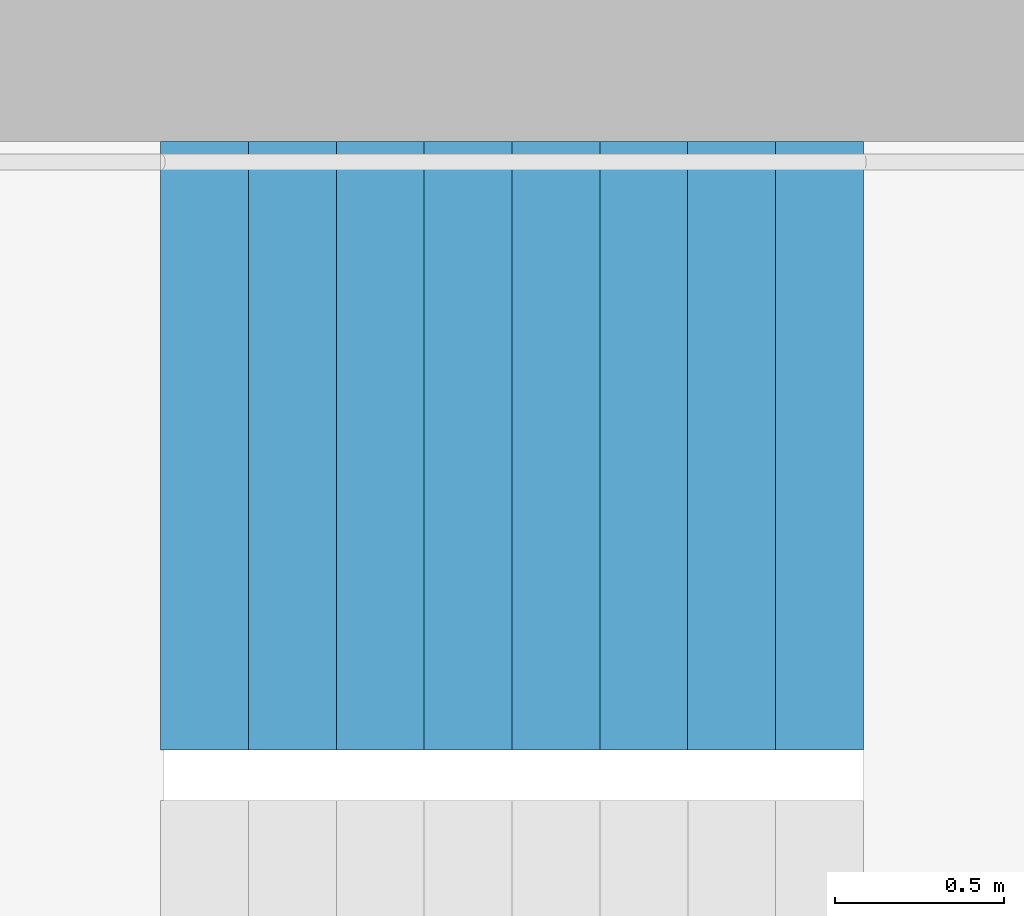
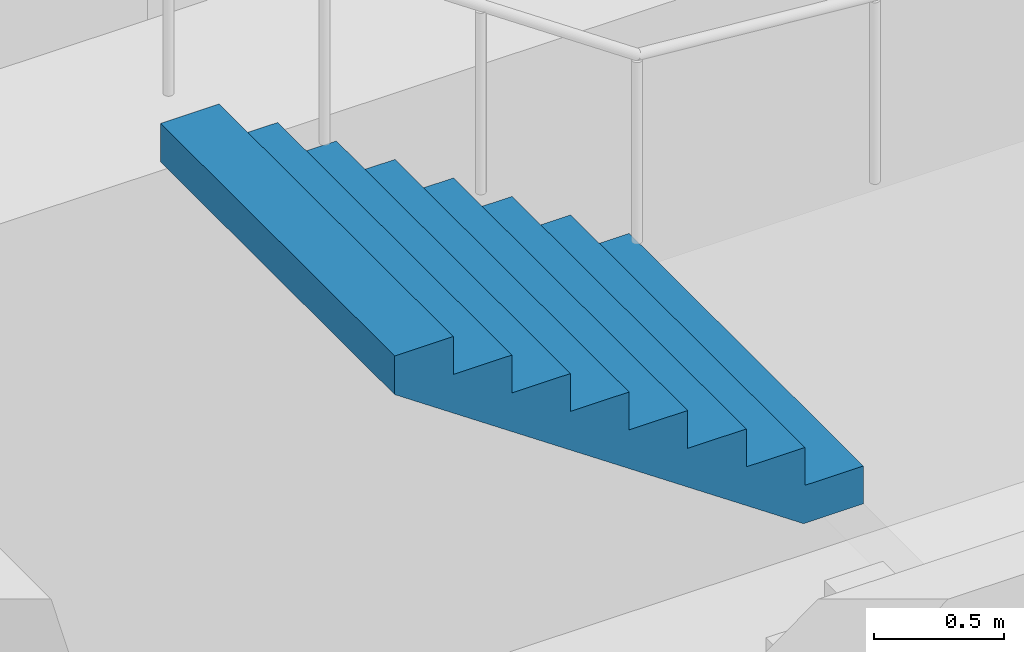
# One storey, part 24 of 29: 1 stair flight, 1 element without a shape of its own.
"""IFC4 building model written with IfcOpenShell, lengths in metres."""

from ifc_helpers import new_model, si_unit, direction, frame, origin, place, context, subcontext, project, spatial, triangles, material, type_object, element, aggregate, save


model = new_model("IFC4")

# Units and contexts
model_context = context("Model", 3, precision=1e-05, world=origin(), true_north=direction((0.0, 1.0)))
body_context = subcontext(model_context, "Body", "Model", "MODEL_VIEW")
ifc_project = project(units=[si_unit("LENGTHUNIT", "METRE"), si_unit("AREAUNIT", "SQUARE_METRE"), si_unit("VOLUMEUNIT", "CUBIC_METRE"), si_unit("PLANEANGLEUNIT", "RADIAN"), si_unit("MASSUNIT", "GRAM", prefix="KILO")], contexts=[model_context])

# Site, building, storey
site_placement = place(None, origin())
site = spatial("IfcSite", under=ifc_project, at=site_placement, CompositionType="ELEMENT")
building_placement = place(site_placement, origin())
building = spatial("IfcBuilding", under=site, at=building_placement, Name="Hakoniwa Tower and Hamabe Station Hall", CompositionType="ELEMENT")
storey_placement = place(building_placement, frame((0.0, 0.0, 110.60009765625)))
storey = spatial("IfcBuildingStorey", under=building, at=storey_placement, Name="L31", CompositionType="ELEMENT", Elevation=110.60009765625)

# Stair, stair flight
ifc_material_1 = material(Name="Concrete C40", Category="concrete")
stair_type = type_object("IfcStairType", Name="ESCAPE STAIR 1800", PredefinedType="HALF_TURN_STAIR", material=ifc_material_1)
stair_placement = place(storey_placement, origin())
stair = element("IfcStair", 1, at=stair_placement, inside=storey, type_object=stair_type, Name="Escape stair ST-1 L31", PredefinedType="HALF_TURN_STAIR")
ifc_material_2 = material(Name="Concrete C40", Category="concrete")
stair_flight_type = type_object("IfcStairFlightType", Name="STAIR FLIGHT 1800", PredefinedType="STRAIGHT", material=ifc_material_2)
stair_flight_placement = place(storey_placement, frame((-22.320068359375, 6.60009765625, 1.599853515625), z_axis=(0.0, 0.0, 1.0), x_axis=(-1.0, 0.0, 0.0)))
stair_flight = element("IfcStairFlight", 2, at=stair_flight_placement, type_object=stair_flight_type, Name="ST-1 flight 2", NumberOfRisers=9, NumberOfTreads=8, PredefinedType="STRAIGHT", RiserHeight=0.177777778, TreadLength=0.26, context=body_context, shape_type="Tessellation", body=[
    triangles([(0.0, 0.89990234375, 0.0), (0.260009765625, 0.89990234375, 0.0), (0.265625, 0.89990234375, 0.0), (0.52001953125, 0.89990234375, 0.174072265625), (0.780029296875, 0.89990234375, 0.351806640625), (1.0400390625, 0.89990234375, 0.529541015625), (1.300048828125, 0.89990234375, 0.707275390625), (1.56005859375, 0.89990234375, 0.885009765625), (1.820068359375, 0.89990234375, 1.062744140625), (2.080078125, 0.89990234375, 1.24072265625), (2.080078125, 0.89990234375, 1.422119140625), (1.820068359375, 0.89990234375, 1.422119140625), (1.820068359375, 0.89990234375, 1.244384765625), (1.56005859375, 0.89990234375, 1.244384765625), (1.56005859375, 0.89990234375, 1.066650390625), (1.300048828125, 0.89990234375, 1.066650390625), (1.300048828125, 0.89990234375, 0.888916015625), (1.0400390625, 0.89990234375, 0.888916015625), (1.0400390625, 0.89990234375, 0.711181640625), (0.780029296875, 0.89990234375, 0.711181640625), (0.780029296875, 0.89990234375, 0.533447265625), (0.52001953125, 0.89990234375, 0.533447265625), (0.52001953125, 0.89990234375, 0.35546875), (0.265625, 0.89990234375, 0.35546875), (0.260009765625, 0.89990234375, 0.35546875), (0.260009765625, 0.89990234375, 0.177734375), (0.0, 0.89990234375, 0.177734375), (0.0, 0.06005859375, 0.0), (0.260009765625, 0.06005859375, 0.0), (0.265625, 0.06005859375, 0.0), (0.52001953125, 0.06005859375, 0.174072265625), (0.780029296875, 0.06005859375, 0.351806640625), (1.0400390625, 0.06005859375, 0.529541015625), (1.300048828125, 0.06005859375, 0.707275390625), (1.56005859375, 0.06005859375, 0.885009765625), (1.820068359375, 0.06005859375, 1.062744140625), (2.080078125, 0.06005859375, 1.24072265625), (2.080078125, 0.06005859375, 1.422119140625), (1.820068359375, 0.06005859375, 1.422119140625), (1.820068359375, 0.06005859375, 1.244384765625), (1.56005859375, 0.06005859375, 1.244384765625), (1.56005859375, 0.06005859375, 1.066650390625), (1.300048828125, 0.06005859375, 1.066650390625), (1.300048828125, 0.06005859375, 0.888916015625), (1.0400390625, 0.06005859375, 0.888916015625), (1.0400390625, 0.06005859375, 0.711181640625), (0.780029296875, 0.06005859375, 0.711181640625), (0.780029296875, 0.06005859375, 0.533447265625), (0.52001953125, 0.06005859375, 0.533447265625), (0.52001953125, 0.06005859375, 0.35546875), (0.265625, 0.06005859375, 0.35546875), (0.260009765625, 0.06005859375, 0.35546875), (0.260009765625, 0.06005859375, 0.177734375), (0.0, 0.06005859375, 0.177734375), (0.0, 0.04296875, 0.0), (0.260009765625, 0.04296875, 0.0), (0.265625, 0.04296875, 0.0), (0.52001953125, 0.04296875, 0.174072265625), (0.780029296875, 0.04296875, 0.351806640625), (1.0400390625, 0.04296875, 0.529541015625), (1.300048828125, 0.04296875, 0.707275390625), (1.56005859375, 0.04296875, 0.885009765625), (1.820068359375, 0.04296875, 1.062744140625), (2.080078125, 0.04296875, 1.24072265625), (2.080078125, 0.04296875, 1.422119140625), (1.820068359375, 0.04296875, 1.422119140625), (1.820068359375, 0.04296875, 1.244384765625), (1.56005859375, 0.04296875, 1.244384765625), (1.56005859375, 0.04296875, 1.066650390625), (1.300048828125, 0.04296875, 1.066650390625), (1.300048828125, 0.04296875, 0.888916015625), (1.0400390625, 0.04296875, 0.888916015625), (1.0400390625, 0.04296875, 0.711181640625), (0.780029296875, 0.04296875, 0.711181640625), (0.780029296875, 0.04296875, 0.533447265625), (0.52001953125, 0.04296875, 0.533447265625), (0.52001953125, 0.04296875, 0.35546875), (0.265625, 0.04296875, 0.35546875), (0.260009765625, 0.04296875, 0.35546875), (0.260009765625, 0.04296875, 0.177734375), (0.0, 0.04296875, 0.177734375), (0.0, 0.025634765625, 0.0), (0.260009765625, 0.025634765625, 0.0), (0.265625, 0.025634765625, 0.0), (0.52001953125, 0.025634765625, 0.174072265625), (0.780029296875, 0.025634765625, 0.351806640625), (1.0400390625, 0.025634765625, 0.529541015625), (1.300048828125, 0.025634765625, 0.707275390625), (1.56005859375, 0.025634765625, 0.885009765625), (1.820068359375, 0.025634765625, 1.062744140625), (2.080078125, 0.025634765625, 1.24072265625), (2.080078125, 0.025634765625, 1.422119140625), (1.820068359375, 0.025634765625, 1.422119140625), (1.820068359375, 0.025634765625, 1.244384765625), (1.56005859375, 0.025634765625, 1.244384765625), (1.56005859375, 0.025634765625, 1.066650390625), (1.300048828125, 0.025634765625, 1.066650390625), (1.300048828125, 0.025634765625, 0.888916015625), (1.0400390625, 0.025634765625, 0.888916015625), (1.0400390625, 0.025634765625, 0.711181640625), (0.780029296875, 0.025634765625, 0.711181640625), (0.780029296875, 0.025634765625, 0.533447265625), (0.52001953125, 0.025634765625, 0.533447265625), (0.52001953125, 0.025634765625, 0.35546875), (0.265625, 0.025634765625, 0.35546875), (0.260009765625, 0.025634765625, 0.35546875), (0.260009765625, 0.025634765625, 0.177734375), (0.0, 0.025634765625, 0.177734375), (0.0, 0.008544921875, 0.0), (0.260009765625, 0.008544921875, 0.0), (0.265625, 0.008544921875, 0.0), (0.52001953125, 0.008544921875, 0.174072265625), (0.780029296875, 0.008544921875, 0.351806640625), (1.0400390625, 0.008544921875, 0.529541015625), (1.300048828125, 0.008544921875, 0.707275390625), (1.56005859375, 0.008544921875, 0.885009765625), (1.820068359375, 0.008544921875, 1.062744140625), (2.080078125, 0.008544921875, 1.24072265625), (2.080078125, 0.008544921875, 1.422119140625), (1.820068359375, 0.008544921875, 1.422119140625), (1.820068359375, 0.008544921875, 1.244384765625), (1.56005859375, 0.008544921875, 1.244384765625), (1.56005859375, 0.008544921875, 1.066650390625), (1.300048828125, 0.008544921875, 1.066650390625), (1.300048828125, 0.008544921875, 0.888916015625), (1.0400390625, 0.008544921875, 0.888916015625), (1.0400390625, 0.008544921875, 0.711181640625), (0.780029296875, 0.008544921875, 0.711181640625), (0.780029296875, 0.008544921875, 0.533447265625), (0.52001953125, 0.008544921875, 0.533447265625), (0.52001953125, 0.008544921875, 0.35546875), (0.265625, 0.008544921875, 0.35546875), (0.260009765625, 0.008544921875, 0.35546875), (0.260009765625, 0.008544921875, 0.177734375), (0.0, 0.008544921875, 0.177734375), (0.0, -0.008544921875, 0.0), (0.260009765625, -0.008544921875, 0.0), (0.265625, -0.008544921875, 0.0), (0.52001953125, -0.008544921875, 0.174072265625), (0.780029296875, -0.008544921875, 0.351806640625), (1.0400390625, -0.008544921875, 0.529541015625), (1.300048828125, -0.008544921875, 0.707275390625), (1.56005859375, -0.008544921875, 0.885009765625), (1.820068359375, -0.008544921875, 1.062744140625), (2.080078125, -0.008544921875, 1.24072265625), (2.080078125, -0.008544921875, 1.422119140625), (1.820068359375, -0.008544921875, 1.422119140625), (1.820068359375, -0.008544921875, 1.244384765625), (1.56005859375, -0.008544921875, 1.244384765625), (1.56005859375, -0.008544921875, 1.066650390625), (1.300048828125, -0.008544921875, 1.066650390625), (1.300048828125, -0.008544921875, 0.888916015625), (1.0400390625, -0.008544921875, 0.888916015625), (1.0400390625, -0.008544921875, 0.711181640625), (0.780029296875, -0.008544921875, 0.711181640625), (0.780029296875, -0.008544921875, 0.533447265625), (0.52001953125, -0.008544921875, 0.533447265625), (0.52001953125, -0.008544921875, 0.35546875), (0.265625, -0.008544921875, 0.35546875), (0.260009765625, -0.008544921875, 0.35546875), (0.260009765625, -0.008544921875, 0.177734375), (0.0, -0.008544921875, 0.177734375), (0.0, -0.025634765625, 0.0), (0.260009765625, -0.025634765625, 0.0), (0.265625, -0.025634765625, 0.0), (0.52001953125, -0.025634765625, 0.174072265625), (0.780029296875, -0.025634765625, 0.351806640625), (1.0400390625, -0.025634765625, 0.529541015625), (1.300048828125, -0.025634765625, 0.707275390625), (1.56005859375, -0.025634765625, 0.885009765625), (1.820068359375, -0.025634765625, 1.062744140625), (2.080078125, -0.025634765625, 1.24072265625), (2.080078125, -0.025634765625, 1.422119140625), (1.820068359375, -0.025634765625, 1.422119140625), (1.820068359375, -0.025634765625, 1.244384765625), (1.56005859375, -0.025634765625, 1.244384765625), (1.56005859375, -0.025634765625, 1.066650390625), (1.300048828125, -0.025634765625, 1.066650390625), (1.300048828125, -0.025634765625, 0.888916015625), (1.0400390625, -0.025634765625, 0.888916015625), (1.0400390625, -0.025634765625, 0.711181640625), (0.780029296875, -0.025634765625, 0.711181640625), (0.780029296875, -0.025634765625, 0.533447265625), (0.52001953125, -0.025634765625, 0.533447265625), (0.52001953125, -0.025634765625, 0.35546875), (0.265625, -0.025634765625, 0.35546875), (0.260009765625, -0.025634765625, 0.35546875), (0.260009765625, -0.025634765625, 0.177734375), (0.0, -0.025634765625, 0.177734375), (0.0, -0.04296875, 0.0), (0.260009765625, -0.04296875, 0.0), (0.265625, -0.04296875, 0.0), (0.52001953125, -0.04296875, 0.174072265625), (0.780029296875, -0.04296875, 0.351806640625), (1.0400390625, -0.04296875, 0.529541015625), (1.300048828125, -0.04296875, 0.707275390625), (1.56005859375, -0.04296875, 0.885009765625), (1.820068359375, -0.04296875, 1.062744140625), (2.080078125, -0.04296875, 1.24072265625), (2.080078125, -0.04296875, 1.422119140625), (1.820068359375, -0.04296875, 1.422119140625), (1.820068359375, -0.04296875, 1.244384765625), (1.56005859375, -0.04296875, 1.244384765625), (1.56005859375, -0.04296875, 1.066650390625), (1.300048828125, -0.04296875, 1.066650390625), (1.300048828125, -0.04296875, 0.888916015625), (1.0400390625, -0.04296875, 0.888916015625), (1.0400390625, -0.04296875, 0.711181640625), (0.780029296875, -0.04296875, 0.711181640625), (0.780029296875, -0.04296875, 0.533447265625), (0.52001953125, -0.04296875, 0.533447265625), (0.52001953125, -0.04296875, 0.35546875), (0.265625, -0.04296875, 0.35546875), (0.260009765625, -0.04296875, 0.35546875), (0.260009765625, -0.04296875, 0.177734375), (0.0, -0.04296875, 0.177734375), (0.0, -0.06005859375, 0.0), (0.260009765625, -0.06005859375, 0.0), (0.265625, -0.06005859375, 0.0), (0.52001953125, -0.06005859375, 0.174072265625), (0.780029296875, -0.06005859375, 0.351806640625), (1.0400390625, -0.06005859375, 0.529541015625), (1.300048828125, -0.06005859375, 0.707275390625), (1.56005859375, -0.06005859375, 0.885009765625), (1.820068359375, -0.06005859375, 1.062744140625), (2.080078125, -0.06005859375, 1.24072265625), (2.080078125, -0.06005859375, 1.422119140625), (1.820068359375, -0.06005859375, 1.422119140625), (1.820068359375, -0.06005859375, 1.244384765625), (1.56005859375, -0.06005859375, 1.244384765625), (1.56005859375, -0.06005859375, 1.066650390625), (1.300048828125, -0.06005859375, 1.066650390625), (1.300048828125, -0.06005859375, 0.888916015625), (1.0400390625, -0.06005859375, 0.888916015625), (1.0400390625, -0.06005859375, 0.711181640625), (0.780029296875, -0.06005859375, 0.711181640625), (0.780029296875, -0.06005859375, 0.533447265625), (0.52001953125, -0.06005859375, 0.533447265625), (0.52001953125, -0.06005859375, 0.35546875), (0.265625, -0.06005859375, 0.35546875), (0.260009765625, -0.06005859375, 0.35546875), (0.260009765625, -0.06005859375, 0.177734375), (0.0, -0.06005859375, 0.177734375), (0.0, -0.89990234375, 0.0), (0.260009765625, -0.89990234375, 0.0), (0.265625, -0.89990234375, 0.0), (0.52001953125, -0.89990234375, 0.174072265625), (0.780029296875, -0.89990234375, 0.351806640625), (1.0400390625, -0.89990234375, 0.529541015625), (1.300048828125, -0.89990234375, 0.707275390625), (1.56005859375, -0.89990234375, 0.885009765625), (1.820068359375, -0.89990234375, 1.062744140625), (2.080078125, -0.89990234375, 1.24072265625), (2.080078125, -0.89990234375, 1.422119140625), (1.820068359375, -0.89990234375, 1.422119140625), (1.820068359375, -0.89990234375, 1.244384765625), (1.56005859375, -0.89990234375, 1.244384765625), (1.56005859375, -0.89990234375, 1.066650390625), (1.300048828125, -0.89990234375, 1.066650390625), (1.300048828125, -0.89990234375, 0.888916015625), (1.0400390625, -0.89990234375, 0.888916015625), (1.0400390625, -0.89990234375, 0.711181640625), (0.780029296875, -0.89990234375, 0.711181640625), (0.780029296875, -0.89990234375, 0.533447265625), (0.52001953125, -0.89990234375, 0.533447265625), (0.52001953125, -0.89990234375, 0.35546875), (0.265625, -0.89990234375, 0.35546875), (0.260009765625, -0.89990234375, 0.35546875), (0.260009765625, -0.89990234375, 0.177734375), (0.0, -0.89990234375, 0.177734375)], [[2, 27, 26], [245, 269, 270], [2, 1, 27], [245, 270, 244], [3, 25, 24], [246, 267, 268], [3, 26, 25], [246, 268, 269], [3, 2, 26], [246, 269, 245], [4, 24, 23], [247, 266, 267], [4, 3, 24], [247, 267, 246], [5, 22, 21], [248, 264, 265], [5, 23, 22], [248, 265, 266], [5, 4, 23], [248, 266, 247], [6, 20, 19], [249, 262, 263], [6, 21, 20], [249, 263, 264], [6, 5, 21], [249, 264, 248], [7, 18, 17], [250, 260, 261], [7, 19, 18], [250, 261, 262], [7, 6, 19], [250, 262, 249], [8, 16, 15], [251, 258, 259], [8, 17, 16], [251, 259, 260], [8, 7, 17], [251, 260, 250], [9, 14, 13], [252, 256, 257], [9, 15, 14], [252, 257, 258], [9, 8, 15], [252, 258, 251], [10, 12, 11], [253, 254, 255], [10, 13, 12], [253, 255, 256], [10, 9, 13], [253, 256, 252], [1, 2, 29], [1, 29, 28], [28, 29, 56], [28, 56, 55], [55, 56, 83], [55, 83, 82], [82, 83, 110], [82, 110, 109], [109, 110, 137], [109, 137, 136], [136, 137, 164], [136, 164, 163], [163, 164, 191], [163, 191, 190], [190, 191, 218], [190, 218, 217], [217, 218, 245], [217, 245, 244], [2, 3, 30], [2, 30, 29], [29, 30, 57], [29, 57, 56], [56, 57, 84], [56, 84, 83], [83, 84, 111], [83, 111, 110], [110, 111, 138], [110, 138, 137], [137, 138, 165], [137, 165, 164], [164, 165, 192], [164, 192, 191], [191, 192, 219], [191, 219, 218], [218, 219, 246], [218, 246, 245], [3, 4, 31], [3, 31, 30], [30, 31, 58], [30, 58, 57], [57, 58, 85], [57, 85, 84], [84, 85, 112], [84, 112, 111], [111, 112, 139], [111, 139, 138], [138, 139, 166], [138, 166, 165], [165, 166, 193], [165, 193, 192], [192, 193, 220], [192, 220, 219], [219, 220, 247], [219, 247, 246], [4, 5, 32], [4, 32, 31], [31, 32, 59], [31, 59, 58], [58, 59, 86], [58, 86, 85], [85, 86, 113], [85, 113, 112], [112, 113, 140], [112, 140, 139], [139, 140, 167], [139, 167, 166], [166, 167, 194], [166, 194, 193], [193, 194, 221], [193, 221, 220], [220, 221, 248], [220, 248, 247], [5, 6, 33], [5, 33, 32], [32, 33, 60], [32, 60, 59], [59, 60, 87], [59, 87, 86], [86, 87, 114], [86, 114, 113], [113, 114, 141], [113, 141, 140], [140, 141, 168], [140, 168, 167], [167, 168, 195], [167, 195, 194], [194, 195, 222], [194, 222, 221], [221, 222, 249], [221, 249, 248], [6, 7, 34], [6, 34, 33], [33, 34, 61], [33, 61, 60], [60, 61, 88], [60, 88, 87], [87, 88, 115], [87, 115, 114], [114, 115, 142], [114, 142, 141], [141, 142, 169], [141, 169, 168], [168, 169, 196], [168, 196, 195], [195, 196, 223], [195, 223, 222], [222, 223, 250], [222, 250, 249], [7, 8, 35], [7, 35, 34], [34, 35, 62], [34, 62, 61], [61, 62, 89], [61, 89, 88], [88, 89, 116], [88, 116, 115], [115, 116, 143], [115, 143, 142], [142, 143, 170], [142, 170, 169], [169, 170, 197], [169, 197, 196], [196, 197, 224], [196, 224, 223], [223, 224, 251], [223, 251, 250], [8, 9, 36], [8, 36, 35], [35, 36, 63], [35, 63, 62], [62, 63, 90], [62, 90, 89], [89, 90, 117], [89, 117, 116], [116, 117, 144], [116, 144, 143], [143, 144, 171], [143, 171, 170], [170, 171, 198], [170, 198, 197], [197, 198, 225], [197, 225, 224], [224, 225, 252], [224, 252, 251], [9, 10, 37], [9, 37, 36], [36, 37, 64], [36, 64, 63], [63, 64, 91], [63, 91, 90], [90, 91, 118], [90, 118, 117], [117, 118, 145], [117, 145, 144], [144, 145, 172], [144, 172, 171], [171, 172, 199], [171, 199, 198], [198, 199, 226], [198, 226, 225], [225, 226, 253], [225, 253, 252], [10, 11, 38], [10, 38, 37], [37, 38, 65], [37, 65, 64], [64, 65, 92], [64, 92, 91], [91, 92, 119], [91, 119, 118], [118, 119, 146], [118, 146, 145], [145, 146, 173], [145, 173, 172], [172, 173, 200], [172, 200, 199], [199, 200, 227], [199, 227, 226], [226, 227, 254], [226, 254, 253], [11, 12, 39], [11, 39, 38], [38, 39, 66], [38, 66, 65], [65, 66, 93], [65, 93, 92], [92, 93, 120], [92, 120, 119], [119, 120, 147], [119, 147, 146], [146, 147, 174], [146, 174, 173], [173, 174, 201], [173, 201, 200], [200, 201, 228], [200, 228, 227], [227, 228, 255], [227, 255, 254], [12, 13, 40], [12, 40, 39], [39, 40, 67], [39, 67, 66], [66, 67, 94], [66, 94, 93], [93, 94, 121], [93, 121, 120], [120, 121, 148], [120, 148, 147], [147, 148, 175], [147, 175, 174], [174, 175, 202], [174, 202, 201], [201, 202, 229], [201, 229, 228], [228, 229, 256], [228, 256, 255], [13, 14, 41], [13, 41, 40], [40, 41, 68], [40, 68, 67], [67, 68, 95], [67, 95, 94], [94, 95, 122], [94, 122, 121], [121, 122, 149], [121, 149, 148], [148, 149, 176], [148, 176, 175], [175, 176, 203], [175, 203, 202], [202, 203, 230], [202, 230, 229], [229, 230, 257], [229, 257, 256], [14, 15, 42], [14, 42, 41], [41, 42, 69], [41, 69, 68], [68, 69, 96], [68, 96, 95], [95, 96, 123], [95, 123, 122], [122, 123, 150], [122, 150, 149], [149, 150, 177], [149, 177, 176], [176, 177, 204], [176, 204, 203], [203, 204, 231], [203, 231, 230], [230, 231, 258], [230, 258, 257], [15, 16, 43], [15, 43, 42], [42, 43, 70], [42, 70, 69], [69, 70, 97], [69, 97, 96], [96, 97, 124], [96, 124, 123], [123, 124, 151], [123, 151, 150], [150, 151, 178], [150, 178, 177], [177, 178, 205], [177, 205, 204], [204, 205, 232], [204, 232, 231], [231, 232, 259], [231, 259, 258], [16, 17, 44], [16, 44, 43], [43, 44, 71], [43, 71, 70], [70, 71, 98], [70, 98, 97], [97, 98, 125], [97, 125, 124], [124, 125, 152], [124, 152, 151], [151, 152, 179], [151, 179, 178], [178, 179, 206], [178, 206, 205], [205, 206, 233], [205, 233, 232], [232, 233, 260], [232, 260, 259], [17, 18, 45], [17, 45, 44], [44, 45, 72], [44, 72, 71], [71, 72, 99], [71, 99, 98], [98, 99, 126], [98, 126, 125], [125, 126, 153], [125, 153, 152], [152, 153, 180], [152, 180, 179], [179, 180, 207], [179, 207, 206], [206, 207, 234], [206, 234, 233], [233, 234, 261], [233, 261, 260], [18, 19, 46], [18, 46, 45], [45, 46, 73], [45, 73, 72], [72, 73, 100], [72, 100, 99], [99, 100, 127], [99, 127, 126], [126, 127, 154], [126, 154, 153], [153, 154, 181], [153, 181, 180], [180, 181, 208], [180, 208, 207], [207, 208, 235], [207, 235, 234], [234, 235, 262], [234, 262, 261], [19, 20, 47], [19, 47, 46], [46, 47, 74], [46, 74, 73], [73, 74, 101], [73, 101, 100], [100, 101, 128], [100, 128, 127], [127, 128, 155], [127, 155, 154], [154, 155, 182], [154, 182, 181], [181, 182, 209], [181, 209, 208], [208, 209, 236], [208, 236, 235], [235, 236, 263], [235, 263, 262], [20, 21, 48], [20, 48, 47], [47, 48, 75], [47, 75, 74], [74, 75, 102], [74, 102, 101], [101, 102, 129], [101, 129, 128], [128, 129, 156], [128, 156, 155], [155, 156, 183], [155, 183, 182], [182, 183, 210], [182, 210, 209], [209, 210, 237], [209, 237, 236], [236, 237, 264], [236, 264, 263], [21, 22, 49], [21, 49, 48], [48, 49, 76], [48, 76, 75], [75, 76, 103], [75, 103, 102], [102, 103, 130], [102, 130, 129], [129, 130, 157], [129, 157, 156], [156, 157, 184], [156, 184, 183], [183, 184, 211], [183, 211, 210], [210, 211, 238], [210, 238, 237], [237, 238, 265], [237, 265, 264], [22, 23, 50], [22, 50, 49], [49, 50, 77], [49, 77, 76], [76, 77, 104], [76, 104, 103], [103, 104, 131], [103, 131, 130], [130, 131, 158], [130, 158, 157], [157, 158, 185], [157, 185, 184], [184, 185, 212], [184, 212, 211], [211, 212, 239], [211, 239, 238], [238, 239, 266], [238, 266, 265], [23, 24, 51], [23, 51, 50], [50, 51, 78], [50, 78, 77], [77, 78, 105], [77, 105, 104], [104, 105, 132], [104, 132, 131], [131, 132, 159], [131, 159, 158], [158, 159, 186], [158, 186, 185], [185, 186, 213], [185, 213, 212], [212, 213, 240], [212, 240, 239], [239, 240, 267], [239, 267, 266], [24, 25, 52], [24, 52, 51], [51, 52, 79], [51, 79, 78], [78, 79, 106], [78, 106, 105], [105, 106, 133], [105, 133, 132], [132, 133, 160], [132, 160, 159], [159, 160, 187], [159, 187, 186], [186, 187, 214], [186, 214, 213], [213, 214, 241], [213, 241, 240], [240, 241, 268], [240, 268, 267], [25, 26, 53], [25, 53, 52], [52, 53, 80], [52, 80, 79], [79, 80, 107], [79, 107, 106], [106, 107, 134], [106, 134, 133], [133, 134, 161], [133, 161, 160], [160, 161, 188], [160, 188, 187], [187, 188, 215], [187, 215, 214], [214, 215, 242], [214, 242, 241], [241, 242, 269], [241, 269, 268], [26, 27, 54], [26, 54, 53], [53, 54, 81], [53, 81, 80], [80, 81, 108], [80, 108, 107], [107, 108, 135], [107, 135, 134], [134, 135, 162], [134, 162, 161], [161, 162, 189], [161, 189, 188], [188, 189, 216], [188, 216, 215], [215, 216, 243], [215, 243, 242], [242, 243, 270], [242, 270, 269], [27, 1, 28], [27, 28, 54], [54, 28, 55], [54, 55, 81], [81, 55, 82], [81, 82, 108], [108, 82, 109], [108, 109, 135], [135, 109, 136], [135, 136, 162], [162, 136, 163], [162, 163, 189], [189, 163, 190], [189, 190, 216], [216, 190, 217], [216, 217, 243], [243, 217, 244], [243, 244, 270]], closed=True),
])
aggregate(stair, [stair_flight])

save(model, "model.ifc")
